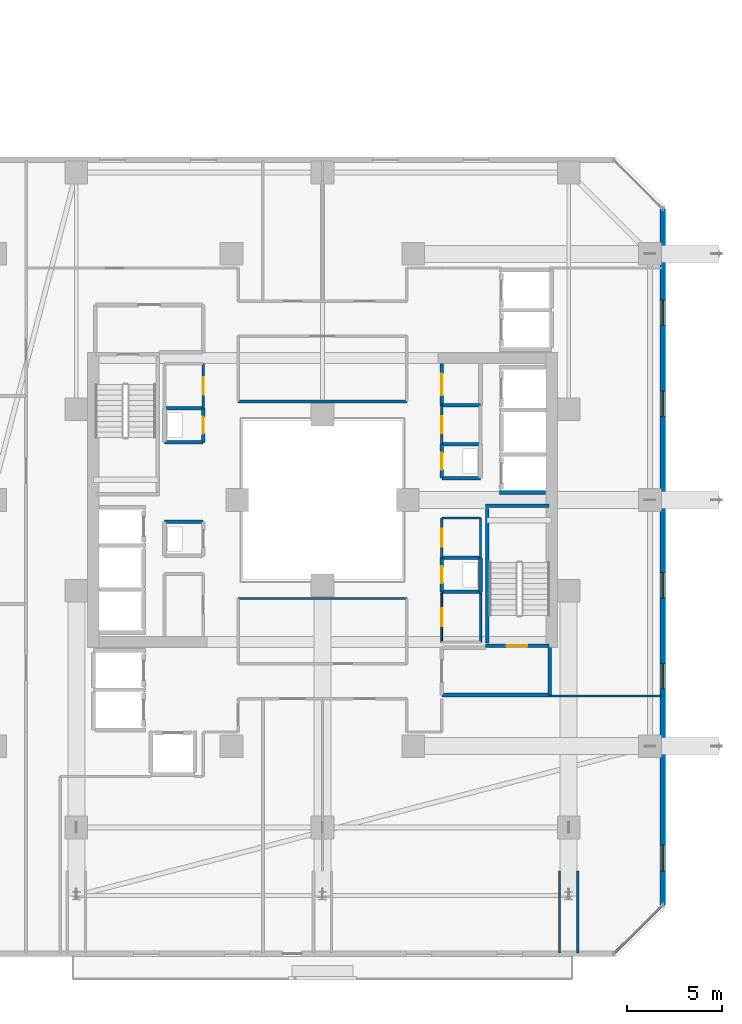
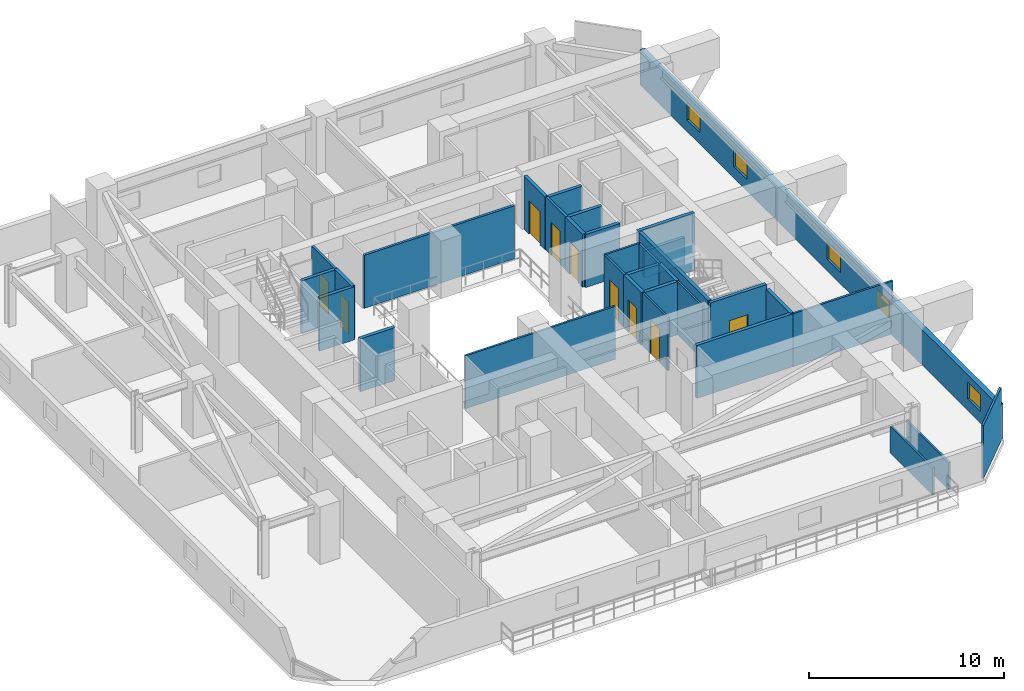
# One storey, part 27 of 36: 33 walls, 9 doors, 5 windows, 14 openings.
"""IFC4 building model written with IfcOpenShell, lengths in metres."""

from ifc_helpers import new_model, si_unit, direction, frame, frame_2d, origin, place, context, subcontext, project, spatial, rectangle, extrude, material, layer, layer_set, type_object, element, fill, save


model = new_model("IFC4")

# Units and contexts
model_context = context("Model", 3, precision=1e-05, world=origin(), true_north=direction((0.0, 1.0)))
body_context = subcontext(model_context, "Body", "Model", "MODEL_VIEW")
ifc_project = project(units=[si_unit("LENGTHUNIT", "METRE"), si_unit("AREAUNIT", "SQUARE_METRE"), si_unit("VOLUMEUNIT", "CUBIC_METRE"), si_unit("PLANEANGLEUNIT", "RADIAN"), si_unit("MASSUNIT", "GRAM", prefix="KILO")], contexts=[model_context])

# Site, building, storey
site_placement = place(None, origin())
site = spatial("IfcSite", under=ifc_project, at=site_placement, CompositionType="ELEMENT")
building_placement = place(site_placement, origin())
building = spatial("IfcBuilding", under=site, at=building_placement, Name="Thornwick Lancets Civic Towers", CompositionType="ELEMENT")
storey_placement = place(building_placement, frame((0.0, 0.0, 116.10009765625)))
storey = spatial("IfcBuildingStorey", under=building, at=storey_placement, Name="L30", CompositionType="ELEMENT", Elevation=116.10009765625)

# Walls
ifc_material_1 = material(Name="Concrete blockwork C40/50", Category="masonry")
ifc_layer_1 = layer(ifc_material_1, 0.199951171875, Name="Concrete blockwork C40/50")
ifc_layer_set_1 = layer_set([ifc_layer_1], Name="Concrete blockwork C40/50")
wall_type_1 = type_object("IfcWallType", Name="WALL_COMP_200", PredefinedType="STANDARD", material=ifc_layer_set_1)
wall_1_placement = place(storey_placement, frame((97.85205078125, 27.39990234375, 0.0), z_axis=(0.0, 0.0, 1.0), x_axis=(1.0, 0.0, 0.0)))
element("IfcWall", 1, at=wall_1_placement, inside=storey, type_object=wall_type_1, Name="L30 Hoistway Shaft Wall FL-B1 S", PredefinedType="STANDARD", context=body_context, shape_type="SweptSolid", body=[
    extrude(rectangle(XDim=2.43603515625, YDim=0.199951171875, at=frame_2d((1.218017578125, 0.0))), origin(), (0.0, 0.0, 1.0), 1.684814453125),
])
wall_2_placement = place(storey_placement, frame((94.800048828125, 16.699951171875, 0.0), z_axis=(0.0, 0.0, 1.0), x_axis=(1.0, 0.0, 0.0)))
element("IfcWall", 2, at=wall_2_placement, inside=storey, type_object=wall_type_1, Name="L30 Partition L30-B-FFLOB1 E1", PredefinedType="STANDARD", context=body_context, shape_type="SweptSolid", body=[
    extrude(rectangle(XDim=5.699951171875, YDim=0.199951171875, at=frame_2d((2.85009765625, 0.0))), origin(), (0.0, 0.0, 1.0), 3.31982421875),
])
wall_3_placement = place(storey_placement, frame((100.5, 16.699951171875, 0.0), z_axis=(0.0, 0.0, 1.0), x_axis=(0.0, 1.0, 0.0)))
element("IfcWall", 3, at=wall_3_placement, inside=storey, type_object=wall_type_1, Name="L30 Partition L30-B-FFLOB1 E2", PredefinedType="STANDARD", context=body_context, shape_type="SweptSolid", body=[
    extrude(rectangle(XDim=2.5, YDim=0.199951171875, at=frame_2d((1.25, 0.0))), origin(), (0.0, 0.0, 1.0), 3.31982421875),
])
for number, where, z_axis, x_axis, name in (
    (4, (94.800048828125, 28.14990234375, 0.0), (0.0, 0.0, 1.0), (1.0, 0.0, 0.0), "L30 Partition L30-B-DUCT1 E1"),
    (5, (96.85009765625, 29.949951171875, 0.0), (0.0, 0.0, 1.0), (-1.0, 0.0, 0.0), "L30 Partition L30-B-DUCT1 E3"),
):
    element("IfcWall", number, at=place(storey_placement, frame(where, z_axis=z_axis, x_axis=x_axis)), inside=storey, type_object=wall_type_1, Name=name, PredefinedType="STANDARD", context=body_context, shape_type="SweptSolid", body=[
        extrude(rectangle(XDim=2.050048828125, YDim=0.199951171875, at=frame_2d((1.02490234375, 0.0))), origin(), (0.0, 0.0, 1.0), 3.31982421875),
    ])

# Wall, opening, door
wall_4_placement = place(storey_placement, frame((94.800048828125, 29.949951171875, 0.0), z_axis=(0.0, 0.0, 1.0), x_axis=(0.0, -1.0, 0.0)))
wall_4 = element("IfcWall", 6, at=wall_4_placement, inside=storey, type_object=wall_type_1, Name="L30 Partition L30-B-DUCT1 E4", PredefinedType="STANDARD", context=body_context, shape_type="SweptSolid", body=[
    extrude(rectangle(XDim=1.800048828125, YDim=0.199951171875, at=frame_2d((0.89990234375, 0.0))), origin(), (0.0, 0.0, 1.0), 3.31982421875),
])
opening_1_placement = place(wall_4_placement, frame((0.4599609375, 0.0, 0.0)))
opening_1 = element("IfcOpeningElement", 7, at=opening_1_placement, cuts=wall_4, Name="Opening D-L30-1383", PredefinedType="OPENING", context=body_context, shape_type="SweptSolid", body=[
    extrude(rectangle(XDim=0.8798828125, YDim=2.0400390625, at=frame_2d((0.43994140625, 1.02001953125))), frame((0.0, 0.10986328125, 0.0), z_axis=(0.0, -1.0, 0.0), x_axis=(1.0, 0.0, 0.0)), (0.0, 0.0, 1.0), 0.219970703125),
])
ifc_material_2 = material(Name="Steel riser access doorset", Category="steel")
door_type_1 = type_object("IfcDoorType", Name="DOOR_RISER_850", OperationType="NOTDEFINED", PredefinedType="DOOR", material=ifc_material_2)
door_1_placement = place(opening_1_placement, origin())
door_1 = element("IfcDoor", 8, at=door_1_placement, inside=storey, type_object=door_type_1, Name="L30 East Service Duct 1 Door", OperationType="SINGLE_SWING_RIGHT", OverallHeight=2.0400390625, OverallWidth=0.8798828125, PredefinedType="DOOR", context=body_context, shape_type="SweptSolid", body=[
    extrude(rectangle(XDim=0.8798828125, YDim=2.0400390625, at=frame_2d((0.43994140625, 1.02001953125))), frame((0.0, 0.02490234375, 0.0), z_axis=(0.0, -1.0, 0.0), x_axis=(1.0, 0.0, 0.0)), (0.0, 0.0, 1.0), 0.050048828125),
])
fill(opening_1, door_1)

# Walls
wall_5_placement = place(storey_placement, frame((94.800048828125, 22.14990234375, 0.0), z_axis=(0.0, 0.0, 1.0), x_axis=(1.0, 0.0, 0.0)))
element("IfcWall", 9, at=wall_5_placement, inside=storey, type_object=wall_type_1, Name="L30 Partition L30-B-RISER1 E1", PredefinedType="STANDARD", context=body_context, shape_type="SweptSolid", body=[
    extrude(rectangle(XDim=2.050048828125, YDim=0.199951171875, at=frame_2d((1.02490234375, 0.0))), origin(), (0.0, 0.0, 1.0), 3.31982421875),
])
wall_6_placement = place(storey_placement, frame((96.85009765625, 22.14990234375, 0.0), z_axis=(0.0, 0.0, 1.0), x_axis=(0.0, 1.0, 0.0)))
element("IfcWall", 10, at=wall_6_placement, inside=storey, type_object=wall_type_1, Name="L30 Partition L30-B-RISER1 E2", PredefinedType="STANDARD", context=body_context, shape_type="SweptSolid", body=[
    extrude(rectangle(XDim=1.800048828125, YDim=0.199951171875, at=frame_2d((0.89990234375, 0.0))), origin(), (0.0, 0.0, 1.0), 3.31982421875),
])
wall_7_placement = place(storey_placement, frame((96.85009765625, 23.949951171875, 0.0), z_axis=(0.0, 0.0, 1.0), x_axis=(-1.0, 0.0, 0.0)))
element("IfcWall", 11, at=wall_7_placement, inside=storey, type_object=wall_type_1, Name="L30 Partition L30-B-RISER1 E3", PredefinedType="STANDARD", context=body_context, shape_type="SweptSolid", body=[
    extrude(rectangle(XDim=2.050048828125, YDim=0.199951171875, at=frame_2d((1.02490234375, 0.0))), origin(), (0.0, 0.0, 1.0), 3.31982421875),
])

# Wall, opening, door
wall_8_placement = place(storey_placement, frame((94.800048828125, 23.949951171875, 0.0), z_axis=(0.0, 0.0, 1.0), x_axis=(0.0, -1.0, 0.0)))
wall_8 = element("IfcWall", 12, at=wall_8_placement, inside=storey, type_object=wall_type_1, Name="L30 Partition L30-B-RISER1 E4", PredefinedType="STANDARD", context=body_context, shape_type="SweptSolid", body=[
    extrude(rectangle(XDim=1.800048828125, YDim=0.199951171875, at=frame_2d((0.89990234375, 0.0))), origin(), (0.0, 0.0, 1.0), 3.31982421875),
])
opening_2_placement = place(wall_8_placement, frame((0.4599609375, 0.0, 0.0)))
opening_2 = element("IfcOpeningElement", 13, at=opening_2_placement, cuts=wall_8, Name="Opening D-L30-1384", PredefinedType="OPENING", context=body_context, shape_type="SweptSolid", body=[
    extrude(rectangle(XDim=0.8798828125, YDim=2.0400390625, at=frame_2d((0.43994140625, 1.02001953125))), frame((0.0, 0.10986328125, 0.0), z_axis=(0.0, -1.0, 0.0), x_axis=(1.0, 0.0, 0.0)), (0.0, 0.0, 1.0), 0.219970703125),
])
door_2_placement = place(opening_2_placement, origin())
door_2 = element("IfcDoor", 14, at=door_2_placement, inside=storey, type_object=door_type_1, Name="L30 East Electrical Riser 1 Door", OperationType="SINGLE_SWING_LEFT", OverallHeight=2.0400390625, OverallWidth=0.8798828125, PredefinedType="DOOR", context=body_context, shape_type="SweptSolid", body=[
    extrude(rectangle(XDim=0.8798828125, YDim=2.0400390625, at=frame_2d((0.43994140625, 1.02001953125))), frame((0.0, 0.02490234375, 0.0), z_axis=(0.0, -1.0, 0.0), x_axis=(1.0, 0.0, 0.0)), (0.0, 0.0, 1.0), 0.050048828125),
])
fill(opening_2, door_2)

# Walls
for number, where, z_axis, x_axis, name in (
    (15, (82.199951171875, 25.85009765625, 0.0), (0.0, 0.0, 1.0), (-1.0, 0.0, 0.0), "L30 Partition L30-B-DUCT2 E3"),
    (16, (80.14990234375, 30.050048828125, 0.0), (0.0, 0.0, 1.0), (1.0, 0.0, 0.0), "L30 Partition L30-B-RISER2 E1"),
):
    element("IfcWall", number, at=place(storey_placement, frame(where, z_axis=z_axis, x_axis=x_axis)), inside=storey, type_object=wall_type_1, Name=name, PredefinedType="STANDARD", context=body_context, shape_type="SweptSolid", body=[
        extrude(rectangle(XDim=2.050048828125, YDim=0.199951171875, at=frame_2d((1.02490234375, 0.0))), origin(), (0.0, 0.0, 1.0), 3.31982421875),
    ])

# Wall, opening, door
wall_9_placement = place(storey_placement, frame((82.199951171875, 30.050048828125, 0.0), z_axis=(0.0, 0.0, 1.0), x_axis=(0.0, 1.0, 0.0)))
wall_9 = element("IfcWall", 17, at=wall_9_placement, inside=storey, type_object=wall_type_1, Name="L30 Partition L30-B-RISER2 E2", PredefinedType="STANDARD", context=body_context, shape_type="SweptSolid", body=[
    extrude(rectangle(XDim=1.800048828125, YDim=0.199951171875, at=frame_2d((0.89990234375, 0.0))), origin(), (0.0, 0.0, 1.0), 3.31982421875),
])
opening_3_placement = place(wall_9_placement, frame((0.4599609375, 0.0, 0.0)))
opening_3 = element("IfcOpeningElement", 18, at=opening_3_placement, cuts=wall_9, Name="Opening D-L30-1386", PredefinedType="OPENING", context=body_context, shape_type="SweptSolid", body=[
    extrude(rectangle(XDim=0.8798828125, YDim=2.0400390625, at=frame_2d((0.43994140625, 1.02001953125))), frame((0.0, 0.10986328125, 0.0), z_axis=(0.0, -1.0, 0.0), x_axis=(1.0, 0.0, 0.0)), (0.0, 0.0, 1.0), 0.219970703125),
])
door_3_placement = place(opening_3_placement, origin())
door_3 = element("IfcDoor", 19, at=door_3_placement, inside=storey, type_object=door_type_1, Name="L30 West Service Riser 2 Door", OperationType="SINGLE_SWING_LEFT", OverallHeight=2.0400390625, OverallWidth=0.8798828125, PredefinedType="DOOR", context=body_context, shape_type="SweptSolid", body=[
    extrude(rectangle(XDim=0.8798828125, YDim=2.0400390625, at=frame_2d((0.43994140625, 1.02001953125))), frame((0.0, 0.02490234375, 0.0), z_axis=(0.0, -1.0, 0.0), x_axis=(1.0, 0.0, 0.0)), (0.0, 0.0, 1.0), 0.050048828125),
])
fill(opening_3, door_3)

# Wall
wall_10_placement = place(storey_placement, frame((82.199951171875, 31.85009765625, 0.0), z_axis=(0.0, 0.0, 1.0), x_axis=(-1.0, 0.0, 0.0)))
element("IfcWall", 20, at=wall_10_placement, inside=storey, type_object=wall_type_1, Name="L30 Partition L30-B-RISER2 E3", PredefinedType="STANDARD", context=body_context, shape_type="SweptSolid", body=[
    extrude(rectangle(XDim=2.050048828125, YDim=0.199951171875, at=frame_2d((1.02490234375, 0.0))), origin(), (0.0, 0.0, 1.0), 3.31982421875),
])

# Wall, opening, door
wall_11_placement = place(storey_placement, frame((94.800048828125, 32.0, 0.0), z_axis=(0.0, 0.0, 1.0), x_axis=(0.0, 1.0, 0.0)))
wall_11 = element("IfcWall", 21, at=wall_11_placement, inside=storey, type_object=wall_type_1, Name="L30 Partition L30-B-STR2 E1", PredefinedType="STANDARD", context=body_context, shape_type="SweptSolid", body=[
    extrude(rectangle(XDim=2.199951171875, YDim=0.199951171875, at=frame_2d((1.10009765625, 0.0))), origin(), (0.0, 0.0, 1.0), 3.31982421875),
])
opening_4_placement = place(wall_11_placement, frame((0.52490234375, 0.0, 0.0)))
opening_4 = element("IfcOpeningElement", 22, at=opening_4_placement, cuts=wall_11, Name="Opening D-L30-1390", PredefinedType="OPENING", context=body_context, shape_type="SweptSolid", body=[
    extrude(rectangle(XDim=1.14990234375, YDim=2.10009765625, at=frame_2d((0.574951171875, 1.050048828125))), frame((0.0, 0.10986328125, 0.0), z_axis=(0.0, -1.0, 0.0), x_axis=(1.0, 0.0, 0.0)), (0.0, 0.0, 1.0), 0.219970703125),
])
ifc_material_3 = material(Name="Glazed fire-resisting steel", Category="steel")
door_type_2 = type_object("IfcDoorType", Name="DOOR_LOBBY_FD60", OperationType="NOTDEFINED", PredefinedType="DOOR", material=ifc_material_3)
door_4_placement = place(opening_4_placement, origin())
door_4 = element("IfcDoor", 23, at=door_4_placement, inside=storey, type_object=door_type_2, Name="L30 Tower B Core Supplies Store Door", OperationType="SINGLE_SWING_LEFT", OverallHeight=2.10009765625, OverallWidth=1.14990234375, PredefinedType="DOOR", context=body_context, shape_type="SweptSolid", body=[
    extrude(rectangle(XDim=1.14990234375, YDim=2.10009765625, at=frame_2d((0.574951171875, 1.050048828125))), frame((0.0, 0.02490234375, 0.0), z_axis=(0.0, -1.0, 0.0), x_axis=(1.0, 0.0, 0.0)), (0.0, 0.0, 1.0), 0.050048828125),
])
fill(opening_4, door_4)

# Wall
wall_12_placement = place(storey_placement, frame((96.85009765625, 32.0, 0.0), z_axis=(0.0, 0.0, 1.0), x_axis=(-1.0, 0.0, 0.0)))
element("IfcWall", 24, at=wall_12_placement, inside=storey, type_object=wall_type_1, Name="L30 Partition L30-B-STR2 E4", PredefinedType="STANDARD", context=body_context, shape_type="SweptSolid", body=[
    extrude(rectangle(XDim=2.050048828125, YDim=0.199951171875, at=frame_2d((1.02490234375, 0.0))), origin(), (0.0, 0.0, 1.0), 3.31982421875),
])

# Wall, openings, windows
ifc_material_4 = material(Name="Insulated russet terracotta rainscreen on concrete C40/50", Category="masonry")
ifc_layer_2 = layer(ifc_material_4, 0.300048828125, Name="Insulated russet terracotta rainscreen on concrete C40/50")
ifc_layer_set_2 = layer_set([ifc_layer_2], Name="Insulated russet terracotta rainscreen on concrete C40/50")
wall_type_2 = type_object("IfcWallType", Name="WALL_EXT_RUSSET_300", PredefinedType="STANDARD", material=ifc_layer_set_2)
wall_13_placement = place(storey_placement, frame((106.464599609375, 5.61865234375, 0.0), z_axis=(0.0, 0.0, 1.0), x_axis=(0.0, 1.0, 0.0)))
wall_13 = element("IfcWall", 25, at=wall_13_placement, inside=storey, type_object=wall_type_2, Name="L30 Tower B Terracotta Facade Wall E2", PredefinedType="STANDARD", context=body_context, shape_type="SweptSolid", body=[
    extrude(rectangle(XDim=36.7626953125, YDim=0.300048828125, at=frame_2d((18.38134765625, 0.0))), origin(), (0.0, 0.0, 1.0), 2.219970703125),
])
opening_5_placement = place(wall_13_placement, frame((1.800048828125, 0.0, 0.719970703125)))
opening_5 = element("IfcOpeningElement", 26, at=opening_5_placement, cuts=wall_13, Name="Opening WL-03", PredefinedType="OPENING", context=body_context, shape_type="SweptSolid", body=[
    extrude(rectangle(XDim=1.35009765625, YDim=1.050048828125, at=frame_2d((0.675048828125, 0.52490234375))), frame((0.0, 0.16015625, 0.0), z_axis=(0.0, -1.0, 0.0), x_axis=(1.0, 0.0, 0.0)), (0.0, 0.0, 1.0), 0.320068359375),
])
opening_6_placement = place(wall_13_placement, frame((11.39990234375, 0.0, 0.719970703125)))
opening_6 = element("IfcOpeningElement", 27, at=opening_6_placement, cuts=wall_13, Name="Opening WL-03", PredefinedType="OPENING", context=body_context, shape_type="SweptSolid", body=[
    extrude(rectangle(XDim=1.35009765625, YDim=1.050048828125, at=frame_2d((0.675048828125, 0.52490234375))), frame((0.0, 0.16015625, 0.0), z_axis=(0.0, -1.0, 0.0), x_axis=(1.0, 0.0, 0.0)), (0.0, 0.0, 1.0), 0.320068359375),
])
opening_7_placement = place(wall_13_placement, frame((16.199951171875, 0.0, 0.719970703125)))
opening_7 = element("IfcOpeningElement", 28, at=opening_7_placement, cuts=wall_13, Name="Opening WL-03", PredefinedType="OPENING", context=body_context, shape_type="SweptSolid", body=[
    extrude(rectangle(XDim=1.35009765625, YDim=1.050048828125, at=frame_2d((0.675048828125, 0.52490234375))), frame((0.0, 0.16015625, 0.0), z_axis=(0.0, -1.0, 0.0), x_axis=(1.0, 0.0, 0.0)), (0.0, 0.0, 1.0), 0.320068359375),
])
opening_8_placement = place(wall_13_placement, frame((25.800048828125, 0.0, 0.719970703125)))
opening_8 = element("IfcOpeningElement", 29, at=opening_8_placement, cuts=wall_13, Name="Opening WL-03", PredefinedType="OPENING", context=body_context, shape_type="SweptSolid", body=[
    extrude(rectangle(XDim=1.35009765625, YDim=1.050048828125, at=frame_2d((0.675048828125, 0.52490234375))), frame((0.0, 0.16015625, 0.0), z_axis=(0.0, -1.0, 0.0), x_axis=(1.0, 0.0, 0.0)), (0.0, 0.0, 1.0), 0.320068359375),
])
opening_9_placement = place(wall_13_placement, frame((30.60009765625, 0.0, 0.719970703125)))
opening_9 = element("IfcOpeningElement", 30, at=opening_9_placement, cuts=wall_13, Name="Opening WL-03", PredefinedType="OPENING", context=body_context, shape_type="SweptSolid", body=[
    extrude(rectangle(XDim=1.35009765625, YDim=1.050048828125, at=frame_2d((0.675048828125, 0.52490234375))), frame((0.0, 0.16015625, 0.0), z_axis=(0.0, -1.0, 0.0), x_axis=(1.0, 0.0, 0.0)), (0.0, 0.0, 1.0), 0.320068359375),
])
ifc_material_5 = material(Name="Clear low-e double glazing clerestory lancet", Category="glass")
window_type = type_object("IfcWindowType", Name="WIN_LANCET_1350", PartitioningType="SINGLE_PANEL", PredefinedType="WINDOW", material=ifc_material_5)
window_1_placement = place(opening_5_placement, origin())
window_1 = element("IfcWindow", 31, at=window_1_placement, inside=storey, type_object=window_type, Name="L30 Tower B Staggered Lancet Window E2-1", OverallHeight=1.050048828125, OverallWidth=1.35009765625, PartitioningType="SINGLE_PANEL", PredefinedType="WINDOW", context=body_context, shape_type="SweptSolid", body=[
    extrude(rectangle(XDim=1.35009765625, YDim=1.050048828125, at=frame_2d((0.675048828125, 0.52490234375))), frame((0.0, 0.030029296875, 0.0), z_axis=(0.0, -1.0, 0.0), x_axis=(1.0, 0.0, 0.0)), (0.0, 0.0, 1.0), 0.06005859375),
])
fill(opening_5, window_1)
window_2_placement = place(opening_6_placement, origin())
window_2 = element("IfcWindow", 32, at=window_2_placement, inside=storey, type_object=window_type, Name="L30 Tower B Staggered Lancet Window E2-2", OverallHeight=1.050048828125, OverallWidth=1.35009765625, PartitioningType="SINGLE_PANEL", PredefinedType="WINDOW", context=body_context, shape_type="SweptSolid", body=[
    extrude(rectangle(XDim=1.35009765625, YDim=1.050048828125, at=frame_2d((0.675048828125, 0.52490234375))), frame((0.0, 0.030029296875, 0.0), z_axis=(0.0, -1.0, 0.0), x_axis=(1.0, 0.0, 0.0)), (0.0, 0.0, 1.0), 0.06005859375),
])
fill(opening_6, window_2)
window_3_placement = place(opening_7_placement, origin())
window_3 = element("IfcWindow", 33, at=window_3_placement, inside=storey, type_object=window_type, Name="L30 Tower B Staggered Lancet Window E2-3", OverallHeight=1.050048828125, OverallWidth=1.35009765625, PartitioningType="SINGLE_PANEL", PredefinedType="WINDOW", context=body_context, shape_type="SweptSolid", body=[
    extrude(rectangle(XDim=1.35009765625, YDim=1.050048828125, at=frame_2d((0.675048828125, 0.52490234375))), frame((0.0, 0.030029296875, 0.0), z_axis=(0.0, -1.0, 0.0), x_axis=(1.0, 0.0, 0.0)), (0.0, 0.0, 1.0), 0.06005859375),
])
fill(opening_7, window_3)
window_4_placement = place(opening_8_placement, origin())
window_4 = element("IfcWindow", 34, at=window_4_placement, inside=storey, type_object=window_type, Name="L30 Tower B Staggered Lancet Window E2-4", OverallHeight=1.050048828125, OverallWidth=1.35009765625, PartitioningType="SINGLE_PANEL", PredefinedType="WINDOW", context=body_context, shape_type="SweptSolid", body=[
    extrude(rectangle(XDim=1.35009765625, YDim=1.050048828125, at=frame_2d((0.675048828125, 0.52490234375))), frame((0.0, 0.030029296875, 0.0), z_axis=(0.0, -1.0, 0.0), x_axis=(1.0, 0.0, 0.0)), (0.0, 0.0, 1.0), 0.06005859375),
])
fill(opening_8, window_4)
window_5_placement = place(opening_9_placement, origin())
window_5 = element("IfcWindow", 35, at=window_5_placement, inside=storey, type_object=window_type, Name="L30 Tower B Staggered Lancet Window E2-5", OverallHeight=1.050048828125, OverallWidth=1.35009765625, PartitioningType="SINGLE_PANEL", PredefinedType="WINDOW", context=body_context, shape_type="SweptSolid", body=[
    extrude(rectangle(XDim=1.35009765625, YDim=1.050048828125, at=frame_2d((0.675048828125, 0.52490234375))), frame((0.0, 0.030029296875, 0.0), z_axis=(0.0, -1.0, 0.0), x_axis=(1.0, 0.0, 0.0)), (0.0, 0.0, 1.0), 0.06005859375),
])
fill(opening_9, window_5)

# Wall
ifc_material_6 = material(Name="Lightweight cellular office partition")
ifc_layer_3 = layer(ifc_material_6, 0.10009765625, Name="Lightweight cellular office partition")
ifc_layer_set_3 = layer_set([ifc_layer_3], Name="Lightweight cellular office partition")
wall_type_3 = type_object("IfcWallType", Name="WALL_PART_100", PredefinedType="PARTITIONING", material=ifc_layer_set_3)
wall_14_placement = place(storey_placement, frame((96.85009765625, 19.5, 0.0), z_axis=(0.0, 0.0, 1.0), x_axis=(0.0, 1.0, 0.0)))
element("IfcWall", 36, at=wall_14_placement, inside=storey, type_object=wall_type_3, Name="L30 Partition L30-B-CLN E2", PredefinedType="PARTITIONING", context=body_context, shape_type="SweptSolid", body=[
    extrude(rectangle(XDim=2.60009765625, YDim=0.10009765625, at=frame_2d((1.300048828125, 0.0))), origin(), (0.0, 0.0, 1.0), 3.31982421875),
])

# Wall, opening, door
wall_15_placement = place(storey_placement, frame((94.800048828125, 22.10009765625, 0.0), z_axis=(0.0, 0.0, 1.0), x_axis=(0.0, -1.0, 0.0)))
wall_15 = element("IfcWall", 37, at=wall_15_placement, inside=storey, type_object=wall_type_3, Name="L30 Partition L30-B-CLN E4", PredefinedType="PARTITIONING", context=body_context, shape_type="SweptSolid", body=[
    extrude(rectangle(XDim=2.60009765625, YDim=0.10009765625, at=frame_2d((1.300048828125, 0.0))), origin(), (0.0, 0.0, 1.0), 3.31982421875),
])
opening_10_placement = place(wall_15_placement, frame((0.824951171875, 0.0, 0.0)))
opening_10 = element("IfcOpeningElement", 38, at=opening_10_placement, cuts=wall_15, Name="Opening D-L30-1387", PredefinedType="OPENING", context=body_context, shape_type="SweptSolid", body=[
    extrude(rectangle(XDim=0.949951171875, YDim=2.10009765625, at=frame_2d((0.47509765625, 1.050048828125))), frame((0.0, 0.06005859375, 0.0), z_axis=(0.0, -1.0, 0.0), x_axis=(1.0, 0.0, 0.0)), (0.0, 0.0, 1.0), 0.1201171875),
])
ifc_material_7 = material(Name="European oak acoustic doorset")
door_type_3 = type_object("IfcDoorType", Name="DOOR_OFFICE_950", OperationType="NOTDEFINED", PredefinedType="DOOR", material=ifc_material_7)
door_5_placement = place(opening_10_placement, origin())
door_5 = element("IfcDoor", 39, at=door_5_placement, inside=storey, type_object=door_type_3, Name="L30 Tower B Cleaners Store Door", OperationType="SINGLE_SWING_RIGHT", OverallHeight=2.10009765625, OverallWidth=0.949951171875, PredefinedType="DOOR", context=body_context, shape_type="SweptSolid", body=[
    extrude(rectangle(XDim=0.949951171875, YDim=2.10009765625, at=frame_2d((0.47509765625, 1.050048828125))), frame((0.0, 0.02490234375, 0.0), z_axis=(0.0, -1.0, 0.0), x_axis=(1.0, 0.0, 0.0)), (0.0, 0.0, 1.0), 0.050048828125),
])
fill(opening_10, door_5)

ifc_material_8 = material(Name="Acoustic gypsum board partition")
ifc_layer_4 = layer(ifc_material_8, 0.1201171875, Name="Acoustic gypsum board partition")
ifc_layer_set_4 = layer_set([ifc_layer_4], Name="Acoustic gypsum board partition")
wall_type_4 = type_object("IfcWallType", Name="WALL_PART_120", PredefinedType="PARTITIONING", material=ifc_layer_set_4)
wall_16_placement = place(storey_placement, frame((94.800048828125, 23.949951171875, 0.0), z_axis=(0.0, 0.0, 1.0), x_axis=(0.0, 1.0, 0.0)))
wall_16 = element("IfcWall", 40, at=wall_16_placement, inside=storey, type_object=wall_type_4, Name="L30 Partition L30-B-ITR E1", PredefinedType="PARTITIONING", context=body_context, shape_type="SweptSolid", body=[
    extrude(rectangle(XDim=2.10009765625, YDim=0.1201171875, at=frame_2d((1.050048828125, 0.0))), origin(), (0.0, 0.0, 1.0), 3.31982421875),
])
opening_11_placement = place(wall_16_placement, frame((0.574951171875, 0.0, 0.0)))
opening_11 = element("IfcOpeningElement", 41, at=opening_11_placement, cuts=wall_16, Name="Opening D-L30-1388", PredefinedType="OPENING", context=body_context, shape_type="SweptSolid", body=[
    extrude(rectangle(XDim=0.949951171875, YDim=2.10009765625, at=frame_2d((0.47509765625, 1.050048828125))), frame((0.0, 0.070068359375, 0.0), z_axis=(0.0, -1.0, 0.0), x_axis=(1.0, 0.0, 0.0)), (0.0, 0.0, 1.0), 0.14013671875),
])
door_6_placement = place(opening_11_placement, origin())
door_6 = element("IfcDoor", 42, at=door_6_placement, inside=storey, type_object=door_type_3, Name="L30 Tower B Comms Patch Room Door", OperationType="SINGLE_SWING_LEFT", OverallHeight=2.10009765625, OverallWidth=0.949951171875, PredefinedType="DOOR", context=body_context, shape_type="SweptSolid", body=[
    extrude(rectangle(XDim=0.949951171875, YDim=2.10009765625, at=frame_2d((0.47509765625, 1.050048828125))), frame((0.0, 0.02490234375, 0.0), z_axis=(0.0, -1.0, 0.0), x_axis=(1.0, 0.0, 0.0)), (0.0, 0.0, 1.0), 0.050048828125),
])
fill(opening_11, door_6)

# Walls
wall_17_placement = place(storey_placement, frame((94.800048828125, 26.050048828125, 0.0), z_axis=(0.0, 0.0, 1.0), x_axis=(1.0, 0.0, 0.0)))
element("IfcWall", 43, at=wall_17_placement, inside=storey, type_object=wall_type_4, Name="L30 Partition L30-B-ITR E2", PredefinedType="PARTITIONING", context=body_context, shape_type="SweptSolid", body=[
    extrude(rectangle(XDim=2.050048828125, YDim=0.1201171875, at=frame_2d((1.02490234375, 0.0))), origin(), (0.0, 0.0, 1.0), 3.31982421875),
])
wall_18_placement = place(storey_placement, frame((96.85009765625, 26.050048828125, 0.0), z_axis=(0.0, 0.0, 1.0), x_axis=(0.0, -1.0, 0.0)))
element("IfcWall", 44, at=wall_18_placement, inside=storey, type_object=wall_type_4, Name="L30 Partition L30-B-ITR E3", PredefinedType="PARTITIONING", context=body_context, shape_type="SweptSolid", body=[
    extrude(rectangle(XDim=2.10009765625, YDim=0.1201171875, at=frame_2d((1.050048828125, 0.0))), origin(), (0.0, 0.0, 1.0), 3.31982421875),
])
wall_19_placement = place(storey_placement, frame((100.5, 16.64990234375, 0.0), z_axis=(0.0, 0.0, 1.0), x_axis=(1.0, 0.0, 0.0)))
element("IfcWall", 45, at=wall_19_placement, inside=storey, type_object=wall_type_4, Name="L30 Partition L30-B-W1 E5", PredefinedType="PARTITIONING", context=body_context, shape_type="SweptSolid", body=[
    extrude(rectangle(XDim=5.919921875, YDim=0.1201171875, at=frame_2d((2.9599609375, 0.0))), origin(), (0.0, 0.0, 1.0), 3.31982421875),
])
wall_20_placement = place(storey_placement, frame((106.419921875, 5.57470703125, 0.0), z_axis=(0.0, 0.0, 1.0), x_axis=(-0.707106781187, -0.707106781187, 0.0)))
element("IfcWall", 46, at=wall_20_placement, inside=storey, type_object=wall_type_4, Name="L30 Partition L30-B-W1 E7", PredefinedType="PARTITIONING", context=body_context, shape_type="SweptSolid", body=[
    extrude(rectangle(XDim=3.52783203125, YDim=0.1201171875, at=frame_2d((1.763916015625, 0.0))), origin(), (0.0, 0.0, 1.0), 3.31982421875),
])
for number, where, z_axis, x_axis, name in (
    (47, (101.97998046875, 3.080078125, 0.0), (0.0, 0.0, 1.0), (0.0, 1.0, 0.0), "L30 Partition L30-B-W1 E9"),
    (48, (101.02001953125, 7.414306640625, 0.0), (0.0, 0.0, 1.0), (0.0, -1.0, 0.0), "L30 Partition L30-B-W1 E11"),
):
    element("IfcWall", number, at=place(storey_placement, frame(where, z_axis=z_axis, x_axis=x_axis)), inside=storey, type_object=wall_type_4, Name=name, PredefinedType="PARTITIONING", context=body_context, shape_type="SweptSolid", body=[
        extrude(rectangle(XDim=4.334228515625, YDim=0.1201171875, at=frame_2d((2.1669921875, 0.0))), origin(), (0.0, 0.0, 1.0), 1.684814453125),
    ])
wall_21_placement = place(storey_placement, frame((84.050048828125, 21.800048828125, 0.0), z_axis=(0.0, 0.0, 1.0), x_axis=(1.0, 0.0, 0.0)))
element("IfcWall", 49, at=wall_21_placement, inside=storey, type_object=wall_type_4, Name="L30 Partition L30-B-ATR-W E2", PredefinedType="PARTITIONING", context=body_context, shape_type="SweptSolid", body=[
    extrude(rectangle(XDim=8.89990234375, YDim=0.1201171875, at=frame_2d((4.449951171875, 0.0))), origin(), (0.0, 0.0, 1.0), 3.31982421875),
])

# Wall, opening, door
ifc_material_9 = material(Name="Twin-stud acoustic gypsum board")
ifc_layer_5 = layer(ifc_material_9, 0.14990234375, Name="Twin-stud acoustic gypsum board")
ifc_layer_set_5 = layer_set([ifc_layer_5], Name="Twin-stud acoustic gypsum board")
wall_type_5 = type_object("IfcWallType", Name="WALL_PART_150", PredefinedType="PARTITIONING", material=ifc_layer_set_5)
wall_22_placement = place(storey_placement, frame((94.800048828125, 29.949951171875, 0.0), z_axis=(0.0, 0.0, 1.0), x_axis=(0.0, 1.0, 0.0)))
wall_22 = element("IfcWall", 50, at=wall_22_placement, inside=storey, type_object=wall_type_5, Name="L30 Partition L30-B-AWC E1", PredefinedType="PARTITIONING", context=body_context, shape_type="SweptSolid", body=[
    extrude(rectangle(XDim=2.050048828125, YDim=0.14990234375, at=frame_2d((1.02490234375, 0.0))), origin(), (0.0, 0.0, 1.0), 3.31982421875),
])
opening_12_placement = place(wall_22_placement, frame((0.56494140625, 0.0, 0.0)))
opening_12 = element("IfcOpeningElement", 51, at=opening_12_placement, cuts=wall_22, Name="Opening D-L30-1389", PredefinedType="OPENING", context=body_context, shape_type="SweptSolid", body=[
    extrude(rectangle(XDim=0.919921875, YDim=2.080078125, at=frame_2d((0.4599609375, 1.0400390625))), frame((0.0, 0.0849609375, 0.0), z_axis=(0.0, -1.0, 0.0), x_axis=(1.0, 0.0, 0.0)), (0.0, 0.0, 1.0), 0.169921875),
])
ifc_material_10 = material(Name="Moisture-resistant oak doorset")
door_type_4 = type_object("IfcDoorType", Name="DOOR_WC_900", OperationType="NOTDEFINED", PredefinedType="DOOR", material=ifc_material_10)
door_7_placement = place(opening_12_placement, origin())
door_7 = element("IfcDoor", 52, at=door_7_placement, inside=storey, type_object=door_type_4, Name="L30 Tower B Accessible WC Door", OperationType="SINGLE_SWING_RIGHT", OverallHeight=2.080078125, OverallWidth=0.919921875, PredefinedType="DOOR", context=body_context, shape_type="SweptSolid", body=[
    extrude(rectangle(XDim=0.919921875, YDim=2.080078125, at=frame_2d((0.4599609375, 1.0400390625))), frame((0.0, 0.02490234375, 0.0), z_axis=(0.0, -1.0, 0.0), x_axis=(1.0, 0.0, 0.0)), (0.0, 0.0, 1.0), 0.050048828125),
])
fill(opening_12, door_7)

wall_23_placement = place(storey_placement, frame((82.199951171875, 34.199951171875, 0.0), z_axis=(0.0, 0.0, 1.0), x_axis=(0.0, -1.0, 0.0)))
wall_23 = element("IfcWall", 53, at=wall_23_placement, inside=storey, type_object=wall_type_5, Name="L30 Partition L30-B-FWC E3", PredefinedType="PARTITIONING", context=body_context, shape_type="SweptSolid", body=[
    extrude(rectangle(XDim=2.349853515625, YDim=0.14990234375, at=frame_2d((1.1748046875, 0.0))), origin(), (0.0, 0.0, 1.0), 3.31982421875),
])
opening_13_placement = place(wall_23_placement, frame((0.715087890625, 0.0, 0.0)))
opening_13 = element("IfcOpeningElement", 54, at=opening_13_placement, cuts=wall_23, Name="Opening D-L30-1392", PredefinedType="OPENING", context=body_context, shape_type="SweptSolid", body=[
    extrude(rectangle(XDim=0.919921875, YDim=2.080078125, at=frame_2d((0.4599609375, 1.0400390625))), frame((0.0, 0.0849609375, 0.0), z_axis=(0.0, -1.0, 0.0), x_axis=(1.0, 0.0, 0.0)), (0.0, 0.0, 1.0), 0.169921875),
])
door_8_placement = place(opening_13_placement, origin())
door_8 = element("IfcDoor", 55, at=door_8_placement, inside=storey, type_object=door_type_4, Name="L30 Tower B Female WC Door", OperationType="SINGLE_SWING_LEFT", OverallHeight=2.080078125, OverallWidth=0.919921875, PredefinedType="DOOR", context=body_context, shape_type="SweptSolid", body=[
    extrude(rectangle(XDim=0.919921875, YDim=2.080078125, at=frame_2d((0.4599609375, 1.0400390625))), frame((0.0, 0.02490234375, 0.0), z_axis=(0.0, -1.0, 0.0), x_axis=(1.0, 0.0, 0.0)), (0.0, 0.0, 1.0), 0.050048828125),
])
fill(opening_13, door_8)

# Wall
wall_24_placement = place(storey_placement, frame((92.949951171875, 32.199951171875, 0.0), z_axis=(0.0, 0.0, 1.0), x_axis=(-1.0, 0.0, 0.0)))
element("IfcWall", 56, at=wall_24_placement, inside=storey, type_object=wall_type_5, Name="L30 Partition L30-B-ATR-E E4", PredefinedType="PARTITIONING", context=body_context, shape_type="SweptSolid", body=[
    extrude(rectangle(XDim=8.89990234375, YDim=0.14990234375, at=frame_2d((4.449951171875, 0.0))), origin(), (0.0, 0.0, 1.0), 3.31982421875),
])

# Wall, opening, door
ifc_material_11 = material(Name="Concrete C40/50", Category="concrete")
ifc_layer_6 = layer(ifc_material_11, 0.199951171875, Name="Concrete C40/50")
ifc_layer_set_6 = layer_set([ifc_layer_6], Name="Concrete C40/50")
wall_type_6 = type_object("IfcWallType", Name="WALL_SHAFT_200", PredefinedType="SHEAR", material=ifc_layer_set_6)
wall_25_placement = place(storey_placement, frame((100.449951171875, 19.300048828125, 0.0), z_axis=(0.0, 0.0, 1.0), x_axis=(-1.0, 0.0, 0.0)))
wall_25 = element("IfcWall", 57, at=wall_25_placement, inside=storey, type_object=wall_type_6, Name="L30 ST-B1 Fire Stair Core Wall NEAR", PredefinedType="SHEAR", context=body_context, shape_type="SweptSolid", body=[
    extrude(rectangle(XDim=3.349853515625, YDim=0.199951171875, at=frame_2d((1.6748046875, 0.0))), origin(), (0.0, 0.0, 1.0), 3.599853515625),
])
opening_14_placement = place(wall_25_placement, frame((1.125, 0.0, 0.0)))
opening_14 = element("IfcOpeningElement", 58, at=opening_14_placement, cuts=wall_25, Name="Opening D-ST-B1-L30", PredefinedType="OPENING", context=body_context, shape_type="SweptSolid", body=[
    extrude(rectangle(XDim=1.10009765625, YDim=2.10009765625, at=frame_2d((0.550048828125, 1.050048828125))), frame((0.0, 0.10986328125, 0.0), z_axis=(0.0, -1.0, 0.0), x_axis=(1.0, 0.0, 0.0)), (0.0, 0.0, 1.0), 0.219970703125),
])
ifc_material_12 = material(Name="Fire-resisting steel and hardwood", Category="steel")
door_type_5 = type_object("IfcDoorType", Name="DOOR_STAIR_FD60", OperationType="NOTDEFINED", PredefinedType="DOOR", material=ifc_material_12)
door_9_placement = place(opening_14_placement, origin())
door_9 = element("IfcDoor", 59, at=door_9_placement, inside=storey, type_object=door_type_5, Name="L30 ST-B1 Exit Stair Door", OperationType="SINGLE_SWING_RIGHT", OverallHeight=2.10009765625, OverallWidth=1.10009765625, PredefinedType="DOOR", context=body_context, shape_type="SweptSolid", body=[
    extrude(rectangle(XDim=1.10009765625, YDim=2.10009765625, at=frame_2d((0.550048828125, 1.050048828125))), frame((0.0, 0.02490234375, 0.0), z_axis=(0.0, -1.0, 0.0), x_axis=(1.0, 0.0, 0.0)), (0.0, 0.0, 1.0), 0.050048828125),
])
fill(opening_14, door_9)

# Walls
wall_26_placement = place(storey_placement, frame((97.10009765625, 26.699951171875, 0.0), z_axis=(0.0, 0.0, 1.0), x_axis=(1.0, 0.0, 0.0)))
element("IfcWall", 60, at=wall_26_placement, inside=storey, type_object=wall_type_6, Name="L30 ST-B1 Fire Stair Core Wall FAR", PredefinedType="SHEAR", context=body_context, shape_type="SweptSolid", body=[
    extrude(rectangle(XDim=3.349853515625, YDim=0.199951171875, at=frame_2d((1.6748046875, 0.0))), origin(), (0.0, 0.0, 1.0), 3.599853515625),
])
wall_27_placement = place(storey_placement, frame((97.202880859375, 26.550048828125, 0.0), z_axis=(0.0, 0.0, 1.0), x_axis=(0.0, -1.0, 0.0)))
element("IfcWall", 61, at=wall_27_placement, inside=storey, type_object=wall_type_6, Name="L30 ST-B1 Fire Stair Core Wall RIGHT", PredefinedType="SHEAR", context=body_context, shape_type="SweptSolid", body=[
    extrude(rectangle(XDim=7.10009765625, YDim=0.199951171875, at=frame_2d((3.550048828125, 0.0))), origin(), (0.0, 0.0, 1.0), 3.599853515625),
])

save(model, "model.ifc")
